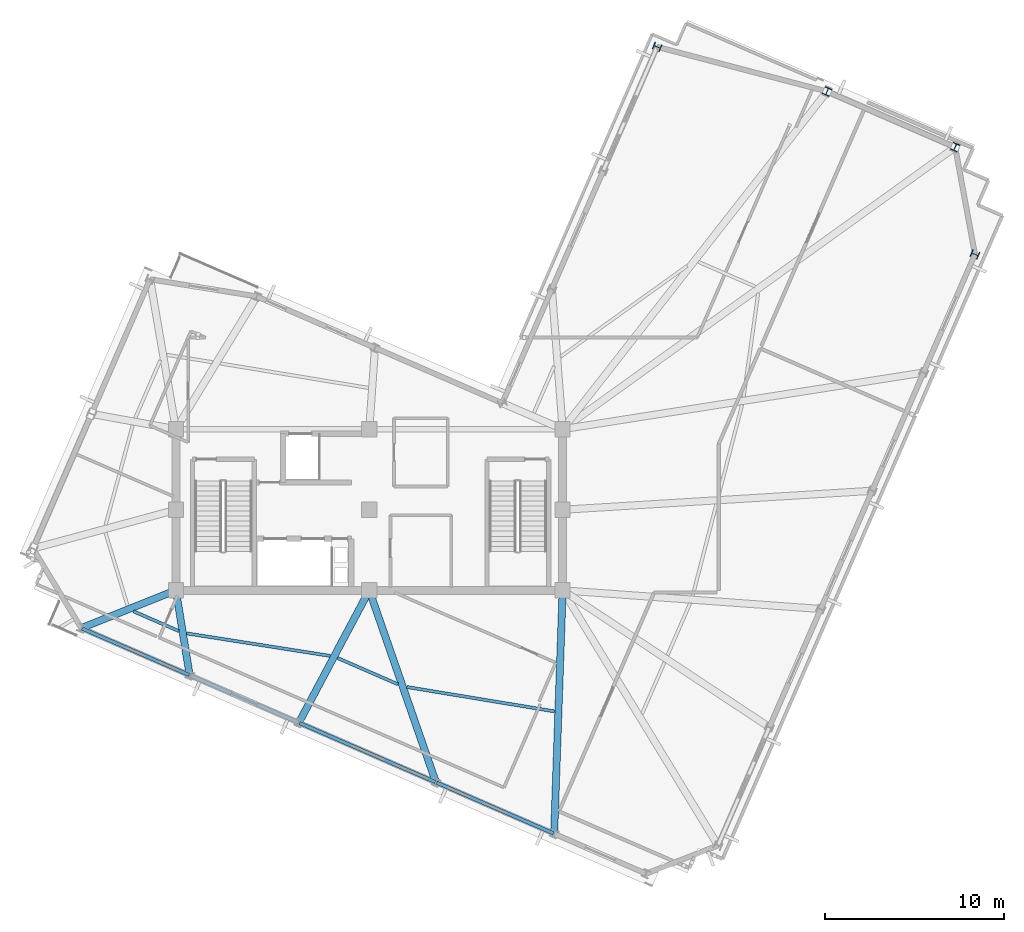
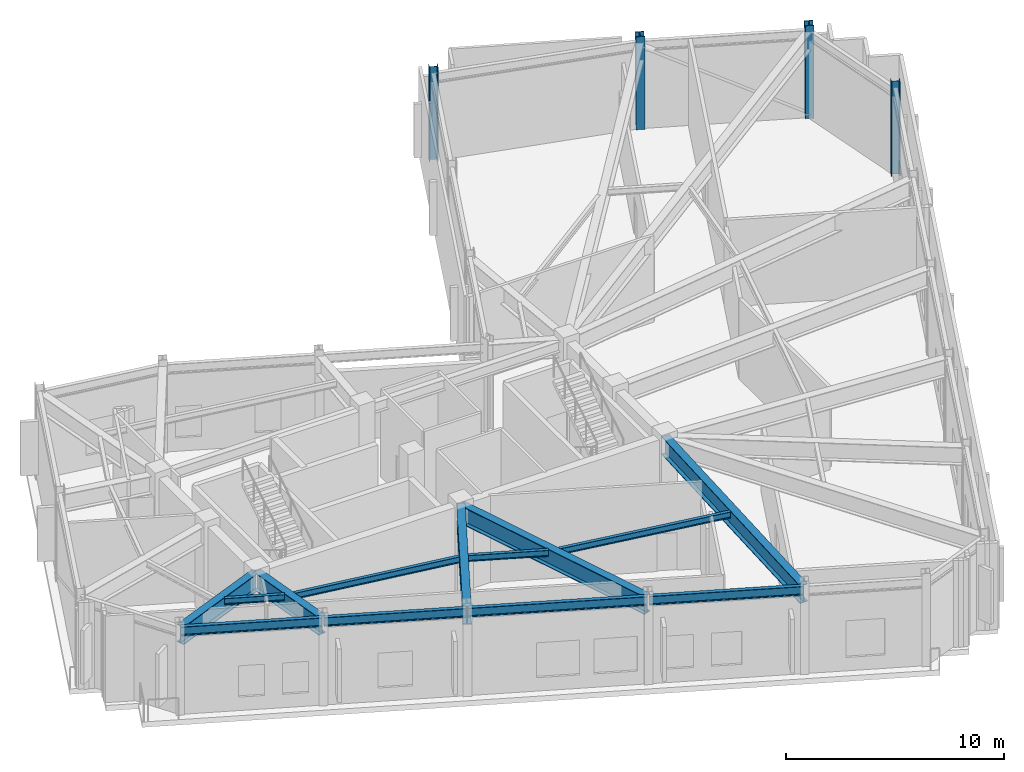
# One storey, part 2 of 12: 13 beams, 4 columns.
"""IFC4 building model written with IfcOpenShell, lengths in metres."""

from ifc_helpers import new_model, si_unit, direction, frame, origin, origin_2d, place, context, subcontext, project, spatial, i_section, extrude, material, material_profile, profile_set, type_object, element, save


model = new_model("IFC4")

# Units and contexts
model_context = context("Model", 3, precision=1e-05, world=origin(), true_north=direction((0.0, 1.0)))
body_context = subcontext(model_context, "Body", "Model", "MODEL_VIEW")
ifc_project = project(units=[si_unit("LENGTHUNIT", "METRE"), si_unit("AREAUNIT", "SQUARE_METRE"), si_unit("VOLUMEUNIT", "CUBIC_METRE"), si_unit("PLANEANGLEUNIT", "RADIAN"), si_unit("MASSUNIT", "GRAM", prefix="KILO")], contexts=[model_context])

# Site, building, storey
site_placement = place(None, origin())
site = spatial("IfcSite", under=ifc_project, at=site_placement, CompositionType="ELEMENT")
building_placement = place(site_placement, origin())
building = spatial("IfcBuilding", under=site, at=building_placement, Name="Gaonmaruhae Medical Tower", CompositionType="ELEMENT")
storey_placement = place(building_placement, frame((0.0, 0.0, 342.60009765625)))
storey = spatial("IfcBuildingStorey", under=building, at=storey_placement, Name="L82", CompositionType="ELEMENT", Elevation=342.60009765625)

# Columns
ifc_material_1 = material(Name="Steel SM420", Category="steel")
ifc_material_profile_1 = material_profile(ifc_material_1, i_section(OverallWidth=0.406982421875, OverallDepth=0.427978515625, WebThickness=0.02001953125, FlangeThickness=0.034912109375, FilletRadius=0.02197265625, at=origin_2d()), Name="H-428x407x20x35")
ifc_profile_set_1 = profile_set([ifc_material_profile_1], Name="Steel SM420")
column_type = type_object("IfcColumnType", Name="SC-01 Crown Plant Steel Column (H-428x407x20x35)", PredefinedType="COLUMN", material=ifc_profile_set_1)
for number, where, z_axis, x_axis, name in (
    (1, (58.630126953125, 26.565673828125, 0.001708984375), (0.0, 0.0, 1.0), (0.398749068925, 0.917060074385, 0.0), "L82 Perimeter Tube Column S06"),
    (2, (57.525634765625, 32.552734375, 0.001708984375), (0.0, 0.0, 1.0), (-0.917060074385, 0.398749068925, 0.0), "L82 Perimeter Tube Column E01"),
    (3, (50.372802734375, 35.662841796875, 0.001708984375), (0.0, 0.0, 1.0), (-0.917060074385, 0.398749068925, 0.0), "L82 Perimeter Tube Column E02"),
    (4, (40.879150390625, 38.155029296875, 0.001708984375), (0.0, 0.0, 1.0), (0.398749068925, 0.917060074385, 0.0), "L82 Perimeter Tube Column E03"),
):
    element("IfcColumn", number, at=place(storey_placement, frame(where, z_axis=z_axis, x_axis=x_axis)), inside=storey, type_object=column_type, Name=name, PredefinedType="COLUMN", context=body_context, shape_type="SweptSolid", body=[
        extrude(i_section(OverallWidth=0.406982421875, OverallDepth=0.427978515625, WebThickness=0.02001953125, FlangeThickness=0.034912109375, FilletRadius=0.02197265625, at=origin_2d()), origin(), (0.0, 0.0, 1.0), 5.1962890625),
    ])

# Beams
ifc_material_profile_2 = material_profile(ifc_material_1, i_section(OverallWidth=0.39990234375, OverallDepth=1.0, WebThickness=0.02197265625, FlangeThickness=0.035888671875, at=origin_2d()), Name="BH-1000x400x22x36")
ifc_profile_set_2 = profile_set([ifc_material_profile_2], Name="Steel SM420")
beam_type_1 = type_object("IfcBeamType", Name="BG-02 Refuge Floor Primary Girder (BH-1000x400x22x36)", PredefinedType="BEAM", material=ifc_profile_set_2)
beam_1_placement = place(storey_placement, frame((13.95361328125, 7.781494140625, 4.349853515625), z_axis=(-0.928579037594, -0.371134707272, 0.0), x_axis=(0.371134707272, -0.928579037594, 0.0)))
element("IfcBeam", 5, at=beam_1_placement, inside=storey, type_object=beam_type_1, Name="L82 Radial Primary Girder W01", PredefinedType="BEAM", context=body_context, shape_type="SweptSolid", body=[
    extrude(i_section(OverallWidth=0.39990234375, OverallDepth=1.0, WebThickness=0.02197265625, FlangeThickness=0.035888671875, at=origin_2d()), origin(), (0.0, 0.0, 1.0), 5.591552734375),
])
beam_2_placement = place(storey_placement, frame((14.008056640625, 7.750732421875, 4.349853515625), z_axis=(0.159685869984, -0.987167879809, 0.0), x_axis=(0.987167879809, 0.159685869984, 0.0)))
element("IfcBeam", 6, at=beam_2_placement, inside=storey, type_object=beam_type_1, Name="L82 Radial Primary Girder W02", PredefinedType="BEAM", context=body_context, shape_type="SweptSolid", body=[
    extrude(i_section(OverallWidth=0.39990234375, OverallDepth=1.0, WebThickness=0.02197265625, FlangeThickness=0.035888671875, at=origin_2d()), origin(), (0.0, 0.0, 1.0), 4.705810546875),
])
beam_3_placement = place(storey_placement, frame((24.776611328125, 7.755859375, 4.349853515625), z_axis=(-0.469618843189, -0.882869266722, 0.0), x_axis=(0.882869266722, -0.469618843189, 0.0)))
element("IfcBeam", 7, at=beam_3_placement, inside=storey, type_object=beam_type_1, Name="L82 Radial Primary Girder W03", PredefinedType="BEAM", context=body_context, shape_type="SweptSolid", body=[
    extrude(i_section(OverallWidth=0.39990234375, OverallDepth=1.0, WebThickness=0.02197265625, FlangeThickness=0.035888671875, at=origin_2d()), origin(), (0.0, 0.0, 1.0), 8.27685546875),
])
beam_4_placement = place(storey_placement, frame((24.81640625, 7.752685546875, 4.349853515625), z_axis=(0.327964362011, -0.944690095878, 0.0), x_axis=(0.944690095878, 0.327964362011, 0.0)))
element("IfcBeam", 8, at=beam_4_placement, inside=storey, type_object=beam_type_1, Name="L82 Radial Primary Girder W04", PredefinedType="BEAM", context=body_context, shape_type="SweptSolid", body=[
    extrude(i_section(OverallWidth=0.39990234375, OverallDepth=1.0, WebThickness=0.02197265625, FlangeThickness=0.035888671875, at=origin_2d()), origin(), (0.0, 0.0, 1.0), 11.253173828125),
])
beam_5_placement = place(storey_placement, frame((35.59814453125, 7.75, 4.349853515625), z_axis=(-0.034800997703, -0.99939426182, 0.0), x_axis=(0.99939426182, -0.034800997703, 0.0)))
element("IfcBeam", 9, at=beam_5_placement, inside=storey, type_object=beam_type_1, Name="L82 Radial Primary Girder W05", PredefinedType="BEAM", context=body_context, shape_type="SweptSolid", body=[
    extrude(i_section(OverallWidth=0.39990234375, OverallDepth=1.0, WebThickness=0.02197265625, FlangeThickness=0.035888671875, at=origin_2d()), origin(), (0.0, 0.0, 1.0), 13.504638671875),
])
ifc_material_2 = material(Name="Steel SM355", Category="steel")
ifc_material_profile_3 = material_profile(ifc_material_2, i_section(OverallWidth=0.175048828125, OverallDepth=0.35009765625, WebThickness=0.007080078125, FlangeThickness=0.010986328125, FilletRadius=0.012939453125, at=origin_2d()), Name="H-350x175x7x11")
ifc_profile_set_3 = profile_set([ifc_material_profile_3], Name="Steel SM355")
beam_type_2 = type_object("IfcBeamType", Name="FJ-02 Upper Zone Ward Floor Joist (H-350x175x7x11)", PredefinedType="JOIST", material=ifc_profile_set_3)
beam_6_placement = place(storey_placement, frame((11.62109375, 6.629150390625, 4.6748046875), z_axis=(0.917075663277, -0.398713215012, 0.0), x_axis=(0.398713215012, 0.917075663277, 0.0)))
element("IfcBeam", 10, at=beam_6_placement, inside=storey, type_object=beam_type_2, Name="L82 Secondary Floor Joist FJ15", PredefinedType="JOIST", context=body_context, shape_type="SweptSolid", body=[
    extrude(i_section(OverallWidth=0.175048828125, OverallDepth=0.35009765625, WebThickness=0.007080078125, FlangeThickness=0.010986328125, FilletRadius=0.012939453125, at=origin_2d()), origin(), (0.0, 0.0, 1.0), 2.768798828125),
])
beam_7_placement = place(storey_placement, frame((14.59765625, 5.39453125, 4.6748046875), z_axis=(0.9879068852, -0.15504833496, 0.0), x_axis=(0.15504833496, 0.9879068852, 0.0)))
element("IfcBeam", 11, at=beam_7_placement, inside=storey, type_object=beam_type_2, Name="L82 Secondary Floor Joist FJ16", PredefinedType="JOIST", context=body_context, shape_type="SweptSolid", body=[
    extrude(i_section(OverallWidth=0.175048828125, OverallDepth=0.35009765625, WebThickness=0.007080078125, FlangeThickness=0.010986328125, FilletRadius=0.012939453125, at=origin_2d()), origin(), (0.0, 0.0, 1.0), 8.11865234375),
])
beam_8_placement = place(storey_placement, frame((23.0224609375, 4.019775390625, 4.6748046875), z_axis=(0.91705533197, -0.398759975555, 0.0), x_axis=(0.398759975555, 0.91705533197, 0.0)))
element("IfcBeam", 12, at=beam_8_placement, inside=storey, type_object=beam_type_2, Name="L82 Secondary Floor Joist FJ17", PredefinedType="JOIST", context=body_context, shape_type="SweptSolid", body=[
    extrude(i_section(OverallWidth=0.175048828125, OverallDepth=0.35009765625, WebThickness=0.007080078125, FlangeThickness=0.010986328125, FilletRadius=0.012939453125, at=origin_2d()), origin(), (0.0, 0.0, 1.0), 3.690673828125),
])
beam_9_placement = place(storey_placement, frame((26.892333984375, 2.3994140625, 4.6748046875), z_axis=(0.986661186603, -0.162787293274, 0.0), x_axis=(0.162787293274, 0.986661186603, 0.0)))
element("IfcBeam", 13, at=beam_9_placement, inside=storey, type_object=beam_type_2, Name="L82 Secondary Floor Joist FJ18", PredefinedType="JOIST", context=body_context, shape_type="SweptSolid", body=[
    extrude(i_section(OverallWidth=0.175048828125, OverallDepth=0.35009765625, WebThickness=0.007080078125, FlangeThickness=0.010986328125, FilletRadius=0.012939453125, at=origin_2d()), origin(), (0.0, 0.0, 1.0), 8.377685546875),
])
ifc_material_profile_4 = material_profile(ifc_material_2, i_section(OverallWidth=0.199951171875, OverallDepth=0.5, WebThickness=0.010009765625, FlangeThickness=0.01611328125, FilletRadius=0.012939453125, at=origin_2d()), Name="H-500x200x10x16")
ifc_profile_set_4 = profile_set([ifc_material_profile_4], Name="Steel SM355")
beam_type_3 = type_object("IfcBeamType", Name="SP-02 Upper Perimeter Spandrel Beam (H-500x200x10x16)", PredefinedType="SPANDREL", material=ifc_profile_set_4)
beam_10_placement = place(storey_placement, frame((8.751708984375, 5.671630859375, 4.599853515625), z_axis=(0.917059935749, -0.398749387767, 0.0), x_axis=(0.398749387767, 0.917059935749, 0.0)))
element("IfcBeam", 14, at=beam_10_placement, inside=storey, type_object=beam_type_3, Name="L82 Perimeter Spandrel Beam W01-W02", PredefinedType="SPANDREL", context=body_context, shape_type="SweptSolid", body=[
    extrude(i_section(OverallWidth=0.199951171875, OverallDepth=0.5, WebThickness=0.010009765625, FlangeThickness=0.01611328125, FilletRadius=0.012939453125, at=origin_2d()), origin(), (0.0, 0.0, 1.0), 6.52001953125),
])
beam_11_placement = place(storey_placement, frame((14.80419921875, 3.0400390625, 4.599853515625), z_axis=(0.917056468028, -0.398757362876, 0.0), x_axis=(0.398757362876, 0.917056468028, 0.0)))
element("IfcBeam", 15, at=beam_11_placement, inside=storey, type_object=beam_type_3, Name="L82 Perimeter Spandrel Beam W02-W03", PredefinedType="SPANDREL", context=body_context, shape_type="SweptSolid", body=[
    extrude(i_section(OverallWidth=0.199951171875, OverallDepth=0.5, WebThickness=0.010009765625, FlangeThickness=0.01611328125, FilletRadius=0.012939453125, at=origin_2d()), origin(), (0.0, 0.0, 1.0), 6.570068359375),
])
beam_12_placement = place(storey_placement, frame((20.90283203125, 0.388427734375, 4.599853515625), z_axis=(0.917049404199, -0.398773607775, 0.0), x_axis=(0.398773607775, 0.917049404199, 0.0)))
element("IfcBeam", 16, at=beam_12_placement, inside=storey, type_object=beam_type_3, Name="L82 Perimeter Spandrel Beam W03-W04", PredefinedType="SPANDREL", context=body_context, shape_type="SweptSolid", body=[
    extrude(i_section(OverallWidth=0.199951171875, OverallDepth=0.5, WebThickness=0.010009765625, FlangeThickness=0.01611328125, FilletRadius=0.012939453125, at=origin_2d()), origin(), (0.0, 0.0, 1.0), 8.27001953125),
])
beam_13_placement = place(storey_placement, frame((28.560302734375, -2.941162109375, 4.599853515625), z_axis=(0.917055336493, -0.398759965154, 0.0), x_axis=(0.398759965154, 0.917055336493, 0.0)))
element("IfcBeam", 17, at=beam_13_placement, inside=storey, type_object=beam_type_3, Name="L82 Perimeter Spandrel Beam W04-W05", PredefinedType="SPANDREL", context=body_context, shape_type="SweptSolid", body=[
    extrude(i_section(OverallWidth=0.199951171875, OverallDepth=0.5, WebThickness=0.010009765625, FlangeThickness=0.01611328125, FilletRadius=0.012939453125, at=origin_2d()), origin(), (0.0, 0.0, 1.0), 7.119873046875),
])

save(model, "model.ifc")
